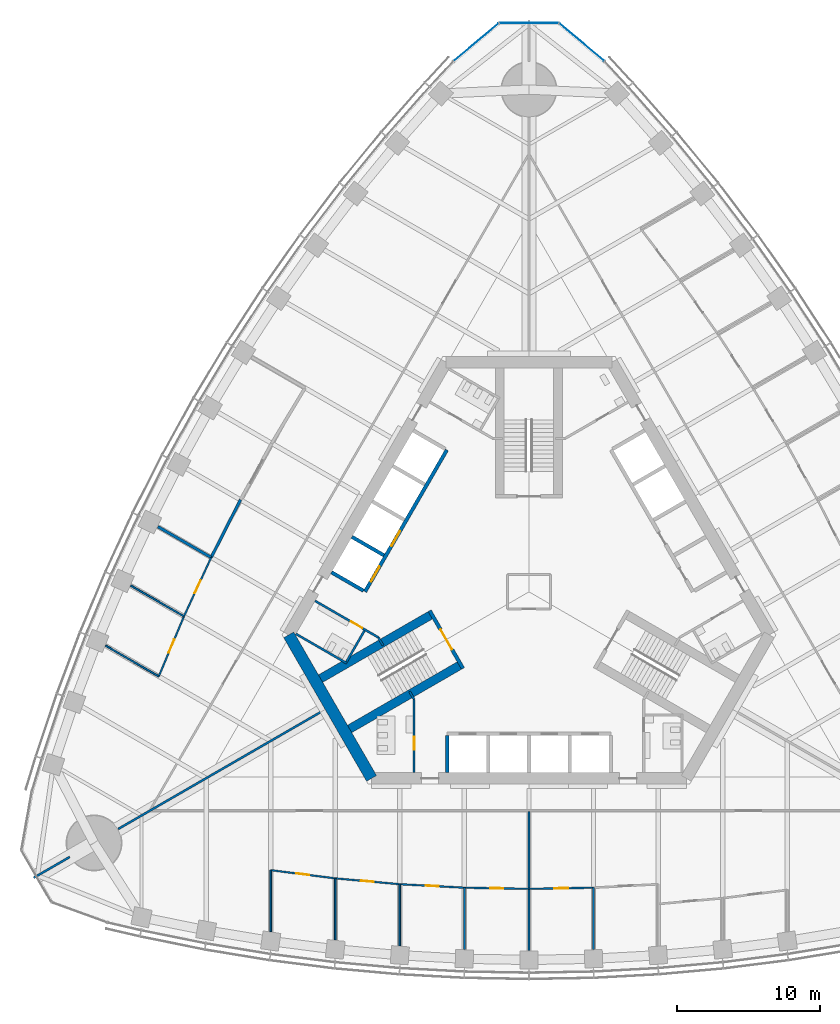
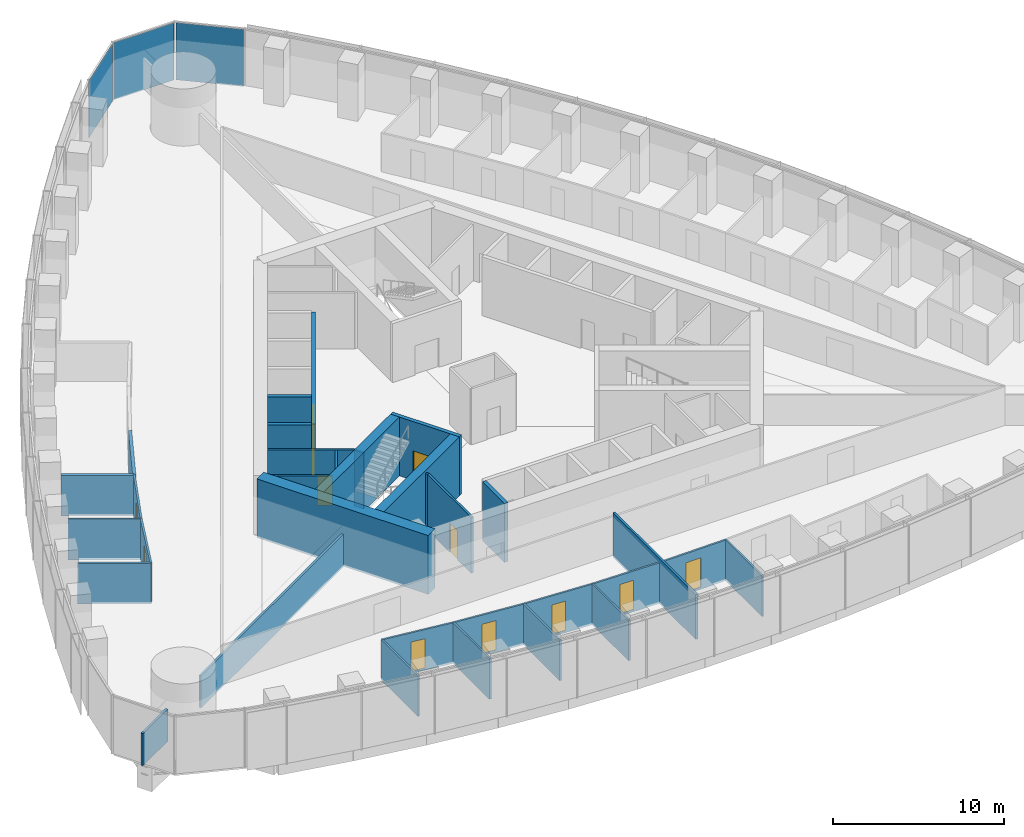
# One storey, part 11 of 21: 33 walls, 12 doors, 3 plates, 12 openings, 1 element without a shape of its own.
"""IFC4 building model written with IfcOpenShell, lengths in metres."""

from ifc_helpers import new_model, si_unit, direction, frame, frame_2d, origin, origin_2d, place, context, subcontext, project, spatial, rectangle, extrude, material, layer, layer_set, type_object, element, fill, aggregate, save


model = new_model("IFC4")

# Units and contexts
model_context = context("Model", 3, precision=1e-05, world=origin(), true_north=direction((0.0, 1.0)))
body_context = subcontext(model_context, "Body", "Model", "MODEL_VIEW")
ifc_project = project(units=[si_unit("LENGTHUNIT", "METRE"), si_unit("AREAUNIT", "SQUARE_METRE"), si_unit("VOLUMEUNIT", "CUBIC_METRE"), si_unit("PLANEANGLEUNIT", "RADIAN"), si_unit("MASSUNIT", "GRAM", prefix="KILO")], contexts=[model_context])

# Site, building, storey
site_placement = place(None, origin())
site = spatial("IfcSite", under=ifc_project, at=site_placement, CompositionType="ELEMENT")
building_placement = place(site_placement, origin())
building = spatial("IfcBuilding", under=site, at=building_placement, Name="Trefoil Bronze Tower", CompositionType="ELEMENT")
storey_placement = place(building_placement, frame((0.0, 0.0, 149.300048828125)))
storey = spatial("IfcBuildingStorey", under=building, at=storey_placement, Name="L34", CompositionType="ELEMENT", Elevation=149.300048828125)

# Curtain wall, plates
ifc_material_1 = material(Name="Tinted solar-control glass", Category="glass")
curtain_wall_type = type_object("IfcCurtainWallType", Name="Bronze rounded corner curtain wall", PredefinedType="USERDEFINED", material=ifc_material_1)
curtain_wall_placement = place(storey_placement, origin())
curtain_wall = element("IfcCurtainWall", 1, at=curtain_wall_placement, inside=storey, type_object=curtain_wall_type, Name="CW-B L34 K2", ObjectType="CURTAIN WALL", PredefinedType="USERDEFINED")
ifc_material_2 = material(Name="Tinted solar-control glass", Category="glass")
ifc_layer_1 = layer(ifc_material_2, 0.030029296875)
ifc_layer_set_1 = layer_set([ifc_layer_1], Name="Bronze rounded corner curtain wall glass panel")
plate_type = type_object("IfcPlateType", Name="Bronze rounded corner curtain wall glass panel", PredefinedType="CURTAIN_PANEL", material=ifc_layer_set_1)
plate_1_placement = place(storey_placement, frame((3.6884765625, 38.294921875, 0.0), z_axis=(0.0, 0.0, 1.0), x_axis=(-0.766044443119, 0.642787609687, 0.0)))
plate_1 = element("IfcPlate", 2, at=plate_1_placement, type_object=plate_type, Name="CW-B L34 K2 panel 1", PredefinedType="CURTAIN_PANEL", context=body_context, shape_type="SweptSolid", body=[
    extrude(rectangle(XDim=4.044189453125, YDim=0.030029296875, at=origin_2d()), origin(), (0.0, 0.0, 1.0), 4.080078125),
])
plate_2_placement = place(storey_placement, frame((0.0, 39.637451171875, 0.0), z_axis=(0.0, 0.0, 1.0), x_axis=(-1.0, 0.0, 0.0)))
plate_2 = element("IfcPlate", 3, at=plate_2_placement, type_object=plate_type, Name="CW-B L34 K2 panel 2", PredefinedType="CURTAIN_PANEL", context=body_context, shape_type="SweptSolid", body=[
    extrude(rectangle(XDim=4.044189453125, YDim=0.030029296875, at=origin_2d()), origin(), (0.0, 0.0, 1.0), 4.080078125),
])
plate_3_placement = place(storey_placement, frame((-3.6884765625, 38.294921875, 0.0), z_axis=(0.0, 0.0, 1.0), x_axis=(-0.766044443119, -0.642787609687, 0.0)))
plate_3 = element("IfcPlate", 4, at=plate_3_placement, type_object=plate_type, Name="CW-B L34 K2 panel 3", PredefinedType="CURTAIN_PANEL", context=body_context, shape_type="SweptSolid", body=[
    extrude(rectangle(XDim=4.044189453125, YDim=0.030029296875, at=origin_2d()), origin(), (0.0, 0.0, 1.0), 4.080078125),
])
aggregate(curtain_wall, [plate_1, plate_2, plate_3])

# Walls
ifc_material_3 = material(Name="Gypsum board on steel studs", Category="steel")
ifc_layer_2 = layer(ifc_material_3, 0.199951171875)
ifc_layer_set_2 = layer_set([ifc_layer_2], Name="Acoustic partition 200")
wall_type_1 = type_object("IfcWallType", Name="Acoustic partition 200", PredefinedType="PARTITIONING", material=ifc_layer_set_2)
wall_1_placement = place(storey_placement, frame((-20.106201171875, 6.412109375, 0.0), z_axis=(0.0, 0.0, 1.0), x_axis=(-0.452471679136, -0.891778772779, 0.0)))
element("IfcWall", 5, at=wall_1_placement, inside=storey, type_object=wall_type_1, Name="Partition F3 L34", PredefinedType="PARTITIONING", context=body_context, shape_type="SweptSolid", body=[
    extrude(rectangle(XDim=4.506591796875, YDim=0.199951171875, at=frame_2d((2.25341796875, 0.0))), origin(), (0.0, 0.0, 1.0), 2.89990234375),
])
wall_2_placement = place(storey_placement, frame((-22.145263671875, 2.393310546875, 0.0), z_axis=(0.0, 0.0, 1.0), x_axis=(-0.866035893414, 0.499981830989, 0.0)))
element("IfcWall", 6, at=wall_2_placement, inside=storey, type_object=wall_type_1, Name="Partition F3 L34", PredefinedType="PARTITIONING", context=body_context, shape_type="SweptSolid", body=[
    extrude(rectangle(XDim=4.291259765625, YDim=0.199951171875, at=frame_2d((2.1455078125, 0.0))), origin(), (0.0, 0.0, 1.0), 2.89990234375),
])
ifc_material_4 = material(Name="Concrete B80", Category="concrete")
ifc_layer_3 = layer(ifc_material_4, 0.800048828125)
ifc_layer_set_3 = layer_set([ifc_layer_3], Name="Core wall 800")
wall_type_2 = type_object("IfcWallType", Name="Core wall 800", PredefinedType="SHEAR", material=ifc_layer_set_3)
wall_3_placement = place(storey_placement, frame((-16.7431640625, -3.0, 0.0), z_axis=(0.0, 0.0, 1.0), x_axis=(0.499995765644, -0.866027848477, 0.0)))
element("IfcWall", 7, at=wall_3_placement, inside=storey, type_object=wall_type_2, Name="Core short wall 3 L34", PredefinedType="SHEAR", context=body_context, shape_type="SweptSolid", body=[
    extrude(rectangle(XDim=11.546875, YDim=0.800048828125, at=frame_2d((5.7734375, 0.0))), origin(), (0.0, 0.0, 1.0), 4.199951171875),
])

# Wall, opening, door
ifc_material_5 = material(Name="Glazed partition", Category="glass")
ifc_layer_4 = layer(ifc_material_5, 0.1201171875)
ifc_layer_set_4 = layer_set([ifc_layer_4], Name="Glazed partition 120")
wall_type_3 = type_object("IfcWallType", Name="Glazed partition 120", PredefinedType="PARTITIONING", material=ifc_layer_set_4)
wall_4_placement = place(storey_placement, frame((0.0, -20.69970703125, 0.0), z_axis=(0.0, 0.0, 1.0), x_axis=(0.999837820638, 0.018009231578, 0.0)))
wall_4 = element("IfcWall", 8, at=wall_4_placement, inside=storey, type_object=wall_type_3, Name="Partition F1 L34", PredefinedType="PARTITIONING", context=body_context, shape_type="SweptSolid", body=[
    extrude(rectangle(XDim=4.500732421875, YDim=0.1201171875, at=frame_2d((2.25048828125, 0.0))), origin(), (0.0, 0.0, 1.0), 2.89990234375),
])
opening_1_placement = place(wall_4_placement, frame((1.75, 0.0, 0.14990234375)))
opening_1 = element("IfcOpeningElement", 9, at=opening_1_placement, cuts=wall_4, Name="Opening D9", PredefinedType="OPENING", context=body_context, shape_type="SweptSolid", body=[
    extrude(rectangle(XDim=1.0, YDim=2.10009765625, at=frame_2d((0.5, 1.050048828125))), frame((0.0, 0.070068359375, 0.0), z_axis=(0.0, -1.0, 0.0), x_axis=(1.0, 0.0, 0.0)), (0.0, 0.0, 1.0), 0.14013671875),
])
ifc_material_6 = material(Name="Glazed timber door", Category="wood")
door_type_1 = type_object("IfcDoorType", Name="Meeting room door 1000", OperationType="SINGLE_SWING_LEFT", PredefinedType="DOOR", material=ifc_material_6)
door_1_placement = place(opening_1_placement, frame((1.0, 0.0, 0.0), z_axis=(0.0, 0.0, 1.0), x_axis=(-1.0, 0.0, 0.0)))
door_1 = element("IfcDoor", 10, at=door_1_placement, inside=storey, type_object=door_type_1, Name="Meeting room door F1 L34", OperationType="SINGLE_SWING_RIGHT", OverallHeight=2.10009765625, OverallWidth=1.0, PredefinedType="DOOR", context=body_context, shape_type="SweptSolid", body=[
    extrude(rectangle(XDim=1.0, YDim=2.10009765625, at=frame_2d((0.5, 1.050048828125))), frame((0.0, 0.02490234375, 0.0), z_axis=(0.0, -1.0, 0.0), x_axis=(1.0, 0.0, 0.0)), (0.0, 0.0, 1.0), 0.050048828125),
])
fill(opening_1, door_1)

wall_5_placement = place(storey_placement, frame((-13.5, -19.9677734375, 0.0), z_axis=(0.0, 0.0, 1.0), x_axis=(0.995930325215, -0.090126507295, 0.0)))
wall_5 = element("IfcWall", 11, at=wall_5_placement, inside=storey, type_object=wall_type_3, Name="Partition F1 L34", PredefinedType="PARTITIONING", context=body_context, shape_type="SweptSolid", body=[
    extrude(rectangle(XDim=4.518310546875, YDim=0.1201171875, at=frame_2d((2.25927734375, 0.0))), origin(), (0.0, 0.0, 1.0), 2.89990234375),
])
opening_2_placement = place(wall_5_placement, frame((1.800048828125, 0.0, 0.14990234375)))
opening_2 = element("IfcOpeningElement", 12, at=opening_2_placement, cuts=wall_5, Name="Opening D8", PredefinedType="OPENING", context=body_context, shape_type="SweptSolid", body=[
    extrude(rectangle(XDim=0.89990234375, YDim=2.10009765625, at=frame_2d((0.449951171875, 1.050048828125))), frame((0.0, 0.070068359375, 0.0), z_axis=(0.0, -1.0, 0.0), x_axis=(1.0, 0.0, 0.0)), (0.0, 0.0, 1.0), 0.14013671875),
])
ifc_material_7 = material(Name="Timber door", Category="wood")
door_type_2 = type_object("IfcDoorType", Name="Office door 900", OperationType="SINGLE_SWING_LEFT", PredefinedType="DOOR", material=ifc_material_7)
door_2_placement = place(opening_2_placement, frame((0.89990234375, 0.0, 0.0), z_axis=(0.0, 0.0, 1.0), x_axis=(-1.0, 0.0, 0.0)))
door_2 = element("IfcDoor", 13, at=door_2_placement, inside=storey, type_object=door_type_2, Name="Office door F1 L34", OperationType="SINGLE_SWING_RIGHT", OverallHeight=2.10009765625, OverallWidth=0.89990234375, PredefinedType="DOOR", context=body_context, shape_type="SweptSolid", body=[
    extrude(rectangle(XDim=0.89990234375, YDim=2.10009765625, at=frame_2d((0.449951171875, 1.050048828125))), frame((0.0, 0.02490234375, 0.0), z_axis=(0.0, -1.0, 0.0), x_axis=(1.0, 0.0, 0.0)), (0.0, 0.0, 1.0), 0.050048828125),
])
fill(opening_2, door_2)

wall_6_placement = place(storey_placement, frame((-18.0, -19.3955078125, 0.0), z_axis=(0.0, 0.0, 1.0), x_axis=(0.992010652594, -0.12615413247, 0.0)))
wall_6 = element("IfcWall", 14, at=wall_6_placement, inside=storey, type_object=wall_type_3, Name="Partition F1 L34", PredefinedType="PARTITIONING", context=body_context, shape_type="SweptSolid", body=[
    extrude(rectangle(XDim=4.5361328125, YDim=0.1201171875, at=frame_2d((2.26806640625, 0.0))), origin(), (0.0, 0.0, 1.0), 2.89990234375),
])
opening_3_placement = place(wall_6_placement, frame((1.800048828125, 0.0, 0.14990234375)))
opening_3 = element("IfcOpeningElement", 15, at=opening_3_placement, cuts=wall_6, Name="Opening D8", PredefinedType="OPENING", context=body_context, shape_type="SweptSolid", body=[
    extrude(rectangle(XDim=0.89990234375, YDim=2.10009765625, at=frame_2d((0.449951171875, 1.050048828125))), frame((0.0, 0.070068359375, 0.0), z_axis=(0.0, -1.0, 0.0), x_axis=(1.0, 0.0, 0.0)), (0.0, 0.0, 1.0), 0.14013671875),
])
door_3_placement = place(opening_3_placement, frame((0.89990234375, 0.0, 0.0), z_axis=(0.0, 0.0, 1.0), x_axis=(-1.0, 0.0, 0.0)))
door_3 = element("IfcDoor", 16, at=door_3_placement, inside=storey, type_object=door_type_2, Name="Office door F1 L34", OperationType="SINGLE_SWING_RIGHT", OverallHeight=2.10009765625, OverallWidth=0.89990234375, PredefinedType="DOOR", context=body_context, shape_type="SweptSolid", body=[
    extrude(rectangle(XDim=0.89990234375, YDim=2.10009765625, at=frame_2d((0.449951171875, 1.050048828125))), frame((0.0, 0.02490234375, 0.0), z_axis=(0.0, -1.0, 0.0), x_axis=(1.0, 0.0, 0.0)), (0.0, 0.0, 1.0), 0.050048828125),
])
fill(opening_3, door_3)

wall_7_placement = place(storey_placement, frame((-4.5, -20.61865234375, 0.0), z_axis=(0.0, 0.0, 1.0), x_axis=(0.999837820638, -0.018009231578, 0.0)))
wall_7 = element("IfcWall", 17, at=wall_7_placement, inside=storey, type_object=wall_type_3, Name="Partition F1 L34", PredefinedType="PARTITIONING", context=body_context, shape_type="SweptSolid", body=[
    extrude(rectangle(XDim=4.500732421875, YDim=0.1201171875, at=frame_2d((2.25048828125, 0.0))), origin(), (0.0, 0.0, 1.0), 2.89990234375),
])
opening_4_placement = place(wall_7_placement, frame((1.800048828125, 0.0, 0.14990234375)))
opening_4 = element("IfcOpeningElement", 18, at=opening_4_placement, cuts=wall_7, Name="Opening D8", PredefinedType="OPENING", context=body_context, shape_type="SweptSolid", body=[
    extrude(rectangle(XDim=0.89990234375, YDim=2.10009765625, at=frame_2d((0.449951171875, 1.050048828125))), frame((0.0, 0.070068359375, 0.0), z_axis=(0.0, -1.0, 0.0), x_axis=(1.0, 0.0, 0.0)), (0.0, 0.0, 1.0), 0.14013671875),
])
door_4_placement = place(opening_4_placement, frame((0.89990234375, 0.0, 0.0), z_axis=(0.0, 0.0, 1.0), x_axis=(-1.0, 0.0, 0.0)))
door_4 = element("IfcDoor", 19, at=door_4_placement, inside=storey, type_object=door_type_2, Name="Office door F1 L34", OperationType="SINGLE_SWING_RIGHT", OverallHeight=2.10009765625, OverallWidth=0.89990234375, PredefinedType="DOOR", context=body_context, shape_type="SweptSolid", body=[
    extrude(rectangle(XDim=0.89990234375, YDim=2.10009765625, at=frame_2d((0.449951171875, 1.050048828125))), frame((0.0, 0.02490234375, 0.0), z_axis=(0.0, -1.0, 0.0), x_axis=(1.0, 0.0, 0.0)), (0.0, 0.0, 1.0), 0.050048828125),
])
fill(opening_4, door_4)

wall_8_placement = place(storey_placement, frame((-9.0, -20.375, 0.0), z_axis=(0.0, 0.0, 1.0), x_axis=(0.998537376538, -0.054065771581, 0.0)))
wall_8 = element("IfcWall", 20, at=wall_8_placement, inside=storey, type_object=wall_type_3, Name="Partition F1 L34", PredefinedType="PARTITIONING", context=body_context, shape_type="SweptSolid", body=[
    extrude(rectangle(XDim=4.506591796875, YDim=0.1201171875, at=frame_2d((2.25341796875, 0.0))), origin(), (0.0, 0.0, 1.0), 2.89990234375),
])
opening_5_placement = place(wall_8_placement, frame((1.800048828125, 0.0, 0.14990234375)))
opening_5 = element("IfcOpeningElement", 21, at=opening_5_placement, cuts=wall_8, Name="Opening D8", PredefinedType="OPENING", context=body_context, shape_type="SweptSolid", body=[
    extrude(rectangle(XDim=0.89990234375, YDim=2.10009765625, at=frame_2d((0.449951171875, 1.050048828125))), frame((0.0, 0.070068359375, 0.0), z_axis=(0.0, -1.0, 0.0), x_axis=(1.0, 0.0, 0.0)), (0.0, 0.0, 1.0), 0.14013671875),
])
door_5_placement = place(opening_5_placement, frame((0.89990234375, 0.0, 0.0), z_axis=(0.0, 0.0, 1.0), x_axis=(-1.0, 0.0, 0.0)))
door_5 = element("IfcDoor", 22, at=door_5_placement, inside=storey, type_object=door_type_2, Name="Office door F1 L34", OperationType="SINGLE_SWING_RIGHT", OverallHeight=2.10009765625, OverallWidth=0.89990234375, PredefinedType="DOOR", context=body_context, shape_type="SweptSolid", body=[
    extrude(rectangle(XDim=0.89990234375, YDim=2.10009765625, at=frame_2d((0.449951171875, 1.050048828125))), frame((0.0, 0.02490234375, 0.0), z_axis=(0.0, -1.0, 0.0), x_axis=(1.0, 0.0, 0.0)), (0.0, 0.0, 1.0), 0.050048828125),
])
fill(opening_5, door_5)

# Walls
wall_9_placement = place(storey_placement, frame((4.5, -20.61865234375, 0.0), z_axis=(0.0, 0.0, 1.0), x_axis=(0.0, -1.0, 0.0)))
element("IfcWall", 23, at=wall_9_placement, inside=storey, type_object=wall_type_3, Name="Partition F1 L34", PredefinedType="PARTITIONING", context=body_context, shape_type="SweptSolid", body=[
    extrude(rectangle(XDim=4.2939453125, YDim=0.1201171875, at=frame_2d((2.14697265625, 0.0))), origin(), (0.0, 0.0, 1.0), 2.89990234375),
])
wall_10_placement = place(storey_placement, frame((-13.5, -19.9677734375, 0.0), z_axis=(0.0, 0.0, 1.0), x_axis=(0.0, -1.0, 0.0)))
element("IfcWall", 24, at=wall_10_placement, inside=storey, type_object=wall_type_3, Name="Partition F1 L34", PredefinedType="PARTITIONING", context=body_context, shape_type="SweptSolid", body=[
    extrude(rectangle(XDim=4.28662109375, YDim=0.1201171875, at=frame_2d((2.143310546875, 0.0))), origin(), (0.0, 0.0, 1.0), 2.89990234375),
])
wall_11_placement = place(storey_placement, frame((-18.0, -19.3955078125, 0.0), z_axis=(0.0, 0.0, 1.0), x_axis=(0.0, -1.0, 0.0)))
element("IfcWall", 25, at=wall_11_placement, inside=storey, type_object=wall_type_3, Name="Partition F1 L34", PredefinedType="PARTITIONING", context=body_context, shape_type="SweptSolid", body=[
    extrude(rectangle(XDim=4.27978515625, YDim=0.1201171875, at=frame_2d((2.139892578125, 0.0))), origin(), (0.0, 0.0, 1.0), 2.89990234375),
])
wall_12_placement = place(storey_placement, frame((-4.5, -20.61865234375, 0.0), z_axis=(0.0, 0.0, 1.0), x_axis=(0.0, -1.0, 0.0)))
element("IfcWall", 26, at=wall_12_placement, inside=storey, type_object=wall_type_3, Name="Partition F1 L34", PredefinedType="PARTITIONING", context=body_context, shape_type="SweptSolid", body=[
    extrude(rectangle(XDim=4.2939453125, YDim=0.1201171875, at=frame_2d((2.14697265625, 0.0))), origin(), (0.0, 0.0, 1.0), 2.89990234375),
])
wall_13_placement = place(storey_placement, frame((-9.0, -20.375, 0.0), z_axis=(0.0, 0.0, 1.0), x_axis=(0.0, -1.0, 0.0)))
element("IfcWall", 27, at=wall_13_placement, inside=storey, type_object=wall_type_3, Name="Partition F1 L34", PredefinedType="PARTITIONING", context=body_context, shape_type="SweptSolid", body=[
    extrude(rectangle(XDim=4.291259765625, YDim=0.1201171875, at=frame_2d((2.1455078125, 0.0))), origin(), (0.0, 0.0, 1.0), 2.89990234375),
])

# Wall, opening, door
wall_14_placement = place(storey_placement, frame((-24.042724609375, -1.70751953125, 0.0), z_axis=(0.0, 0.0, 1.0), x_axis=(-0.386762112496, -0.922179520667, 0.0)))
wall_14 = element("IfcWall", 28, at=wall_14_placement, inside=storey, type_object=wall_type_3, Name="Partition F3 L34", PredefinedType="PARTITIONING", context=body_context, shape_type="SweptSolid", body=[
    extrude(rectangle(XDim=4.5361328125, YDim=0.1201171875, at=frame_2d((2.26806640625, 0.0))), origin(), (0.0, 0.0, 1.0), 2.89990234375),
])
opening_6_placement = place(wall_14_placement, frame((1.75, 0.0, 0.14990234375)))
opening_6 = element("IfcOpeningElement", 29, at=opening_6_placement, cuts=wall_14, Name="Opening D9", PredefinedType="OPENING", context=body_context, shape_type="SweptSolid", body=[
    extrude(rectangle(XDim=1.0, YDim=2.10009765625, at=frame_2d((0.5, 1.050048828125))), frame((0.0, 0.070068359375, 0.0), z_axis=(0.0, -1.0, 0.0), x_axis=(1.0, 0.0, 0.0)), (0.0, 0.0, 1.0), 0.14013671875),
])
door_6_placement = place(opening_6_placement, frame((1.0, 0.0, 0.0), z_axis=(0.0, 0.0, 1.0), x_axis=(-1.0, 0.0, 0.0)))
door_6 = element("IfcDoor", 30, at=door_6_placement, inside=storey, type_object=door_type_1, Name="Meeting room door F3 L34", OperationType="SINGLE_SWING_RIGHT", OverallHeight=2.10009765625, OverallWidth=1.0, PredefinedType="DOOR", context=body_context, shape_type="SweptSolid", body=[
    extrude(rectangle(XDim=1.0, YDim=2.10009765625, at=frame_2d((0.5, 1.050048828125))), frame((0.0, 0.02490234375, 0.0), z_axis=(0.0, -1.0, 0.0), x_axis=(1.0, 0.0, 0.0)), (0.0, 0.0, 1.0), 0.050048828125),
])
fill(opening_6, door_6)

wall_15_placement = place(storey_placement, frame((-22.145263671875, 2.393310546875, 0.0), z_axis=(0.0, 0.0, 1.0), x_axis=(-0.41992827805, -0.90755729367, 0.0)))
wall_15 = element("IfcWall", 31, at=wall_15_placement, inside=storey, type_object=wall_type_3, Name="Partition F3 L34", PredefinedType="PARTITIONING", context=body_context, shape_type="SweptSolid", body=[
    extrude(rectangle(XDim=4.5185546875, YDim=0.1201171875, at=frame_2d((2.25927734375, 0.0))), origin(), (0.0, 0.0, 1.0), 2.89990234375),
])
opening_7_placement = place(wall_15_placement, frame((1.75, 0.0, 0.14990234375)))
opening_7 = element("IfcOpeningElement", 32, at=opening_7_placement, cuts=wall_15, Name="Opening D9", PredefinedType="OPENING", context=body_context, shape_type="SweptSolid", body=[
    extrude(rectangle(XDim=1.0, YDim=2.10009765625, at=frame_2d((0.5, 1.050048828125))), frame((0.0, 0.070068359375, 0.0), z_axis=(0.0, -1.0, 0.0), x_axis=(1.0, 0.0, 0.0)), (0.0, 0.0, 1.0), 0.14013671875),
])
door_7_placement = place(opening_7_placement, frame((1.0, 0.0, 0.0), z_axis=(0.0, 0.0, 1.0), x_axis=(-1.0, 0.0, 0.0)))
door_7 = element("IfcDoor", 33, at=door_7_placement, inside=storey, type_object=door_type_1, Name="Meeting room door F3 L34", OperationType="SINGLE_SWING_RIGHT", OverallHeight=2.10009765625, OverallWidth=1.0, PredefinedType="DOOR", context=body_context, shape_type="SweptSolid", body=[
    extrude(rectangle(XDim=1.0, YDim=2.10009765625, at=frame_2d((0.5, 1.050048828125))), frame((0.0, 0.02490234375, 0.0), z_axis=(0.0, -1.0, 0.0), x_axis=(1.0, 0.0, 0.0)), (0.0, 0.0, 1.0), 0.050048828125),
])
fill(opening_7, door_7)

# Walls
wall_16_placement = place(storey_placement, frame((-24.042724609375, -1.70751953125, 0.0), z_axis=(0.0, 0.0, 1.0), x_axis=(-0.866015805976, 0.500016623523, 0.0)))
element("IfcWall", 34, at=wall_16_placement, inside=storey, type_object=wall_type_3, Name="Partition F3 L34", PredefinedType="PARTITIONING", context=body_context, shape_type="SweptSolid", body=[
    extrude(rectangle(XDim=4.286376953125, YDim=0.1201171875, at=frame_2d((2.14306640625, 0.0))), origin(), (0.0, 0.0, 1.0), 2.89990234375),
])
wall_17_placement = place(storey_placement, frame((-25.797119140625, -5.890625, 0.0), z_axis=(0.0, 0.0, 1.0), x_axis=(-0.866019337872, 0.500010506321, 0.0)))
element("IfcWall", 35, at=wall_17_placement, inside=storey, type_object=wall_type_3, Name="Partition F3 L34", PredefinedType="PARTITIONING", context=body_context, shape_type="SweptSolid", body=[
    extrude(rectangle(XDim=4.27978515625, YDim=0.1201171875, at=frame_2d((2.139892578125, 0.0))), origin(), (0.0, 0.0, 1.0), 2.89990234375),
])

# Wall, opening, door
ifc_material_8 = material(Name="Gypsum board on steel studs", Category="steel")
ifc_layer_5 = layer(ifc_material_8, 0.14990234375)
ifc_layer_set_5 = layer_set([ifc_layer_5], Name="Partition 150")
wall_type_4 = type_object("IfcWallType", Name="Partition 150", PredefinedType="PARTITIONING", material=ifc_layer_set_5)
wall_18_placement = place(storey_placement, frame((-8.0, -7.5, 0.0), z_axis=(0.0, 0.0, 1.0), x_axis=(0.0, -1.0, 0.0)))
wall_18 = element("IfcWall", 36, at=wall_18_placement, inside=storey, type_object=wall_type_4, Name="Passage wall F1- L34", PredefinedType="PARTITIONING", context=body_context, shape_type="SweptSolid", body=[
    extrude(rectangle(XDim=5.10009765625, YDim=0.14990234375, at=frame_2d((2.550048828125, 0.0))), origin(), (0.0, 0.0, 1.0), 4.0),
])
opening_8_placement = place(wall_18_placement, frame((2.60009765625, 0.0, 0.0)))
opening_8 = element("IfcOpeningElement", 37, at=opening_8_placement, cuts=wall_18, Name="Opening D3", PredefinedType="OPENING", context=body_context, shape_type="SweptSolid", body=[
    extrude(rectangle(XDim=0.89990234375, YDim=2.10009765625, at=frame_2d((0.449951171875, 1.050048828125))), frame((0.0, 0.0849609375, 0.0), z_axis=(0.0, -1.0, 0.0), x_axis=(1.0, 0.0, 0.0)), (0.0, 0.0, 1.0), 0.169921875),
])
ifc_material_9 = material(Name="Timber door", Category="wood")
door_type_3 = type_object("IfcDoorType", Name="WC door 900", OperationType="SINGLE_SWING_LEFT", PredefinedType="DOOR", material=ifc_material_9)
door_8_placement = place(opening_8_placement, frame((0.89990234375, 0.0, 0.0), z_axis=(0.0, 0.0, 1.0), x_axis=(-1.0, 0.0, 0.0)))
door_8 = element("IfcDoor", 38, at=door_8_placement, inside=storey, type_object=door_type_3, Name="WC (women) door L34", OperationType="SINGLE_SWING_LEFT", OverallHeight=2.10009765625, OverallWidth=0.89990234375, PredefinedType="DOOR", context=body_context, shape_type="SweptSolid", body=[
    extrude(rectangle(XDim=0.89990234375, YDim=2.10009765625, at=frame_2d((0.449951171875, 1.050048828125))), frame((0.0, 0.02490234375, 0.0), z_axis=(0.0, -1.0, 0.0), x_axis=(1.0, 0.0, 0.0)), (0.0, 0.0, 1.0), 0.050048828125),
])
fill(opening_8, door_8)

wall_19_placement = place(storey_placement, frame((-10.4951171875, -3.17822265625, 0.0), z_axis=(0.0, 0.0, 1.0), x_axis=(-0.86602216432, 0.500005610874, 0.0)))
wall_19 = element("IfcWall", 39, at=wall_19_placement, inside=storey, type_object=wall_type_4, Name="Passage wall F3+ L34", PredefinedType="PARTITIONING", context=body_context, shape_type="SweptSolid", body=[
    extrude(rectangle(XDim=5.10009765625, YDim=0.14990234375, at=frame_2d((2.550048828125, 0.0))), origin(), (0.0, 0.0, 1.0), 4.0),
])
opening_9_placement = place(wall_19_placement, frame((1.300048828125, 0.0, 0.0)))
opening_9 = element("IfcOpeningElement", 40, at=opening_9_placement, cuts=wall_19, Name="Opening D3", PredefinedType="OPENING", context=body_context, shape_type="SweptSolid", body=[
    extrude(rectangle(XDim=0.89990234375, YDim=2.10009765625, at=frame_2d((0.449951171875, 1.050048828125))), frame((0.0, 0.0849609375, 0.0), z_axis=(0.0, -1.0, 0.0), x_axis=(1.0, 0.0, 0.0)), (0.0, 0.0, 1.0), 0.169921875),
])
door_9_placement = place(opening_9_placement, origin())
door_9 = element("IfcDoor", 41, at=door_9_placement, inside=storey, type_object=door_type_3, Name="WC (men) door L34", OperationType="SINGLE_SWING_LEFT", OverallHeight=2.10009765625, OverallWidth=0.89990234375, PredefinedType="DOOR", context=body_context, shape_type="SweptSolid", body=[
    extrude(rectangle(XDim=0.89990234375, YDim=2.10009765625, at=frame_2d((0.449951171875, 1.050048828125))), frame((0.0, 0.02490234375, 0.0), z_axis=(0.0, -1.0, 0.0), x_axis=(1.0, 0.0, 0.0)), (0.0, 0.0, 1.0), 0.050048828125),
])
fill(opening_9, door_9)

# Walls
for number, where, z_axis, x_axis, name in (
    (42, (-10.4951171875, -3.17822265625, 0.0), (0.0, 0.0, 1.0), (0.499842556608, -0.866116284689, 0.0), "WC wall ST3-1 L34"),
    (43, (-8.0, -7.5, 0.0), (0.0, 0.0, 1.0), (-0.499842556608, 0.866116284689, 0.0), "WC wall ST3+1 L34"),
):
    element("IfcWall", number, at=place(storey_placement, frame(where, z_axis=z_axis, x_axis=x_axis)), inside=storey, type_object=wall_type_4, Name=name, PredefinedType="PARTITIONING", context=body_context, shape_type="SweptSolid", body=[
        extrude(rectangle(XDim=0.645263671875, YDim=0.14990234375, at=frame_2d((0.32275390625, 0.0))), origin(), (0.0, 0.0, 1.0), 4.0),
    ])
wall_20_placement = place(storey_placement, frame((-12.691162109375, -4.98193359375, 0.0), z_axis=(0.0, 0.0, 1.0), x_axis=(-0.8660249478, 0.500000789788, 0.0)))
element("IfcWall", 44, at=wall_20_placement, inside=storey, type_object=wall_type_4, Name="WC partition WC (men) L34", PredefinedType="PARTITIONING", context=body_context, shape_type="SweptSolid", body=[
    extrude(rectangle(XDim=4.10009765625, YDim=0.14990234375, at=frame_2d((2.050048828125, 0.0))), origin(), (0.0, 0.0, 1.0), 4.0),
])
wall_21_placement = place(storey_placement, frame((-11.463623046875, -2.70556640625, 0.0), z_axis=(0.0, 0.0, 1.0), x_axis=(-0.50001992892, -0.866013897511, 0.0)))
element("IfcWall", 45, at=wall_21_placement, inside=storey, type_object=wall_type_4, Name="WC partition WC (men) L34", PredefinedType="PARTITIONING", context=body_context, shape_type="SweptSolid", body=[
    extrude(rectangle(XDim=2.51025390625, YDim=0.14990234375, at=frame_2d((1.255126953125, 0.0))), origin(), (0.0, 0.0, 1.0), 4.0),
])
ifc_material_10 = material(Name="Gypsum board on steel studs", Category="steel")
ifc_layer_6 = layer(ifc_material_10, 0.14990234375)
ifc_layer_set_6 = layer_set([ifc_layer_6], Name="Party wall 150")
wall_type_5 = type_object("IfcWallType", Name="Party wall 150", PredefinedType="PARTITIONING", material=ifc_layer_set_6)
wall_22_placement = place(storey_placement, frame((-14.202880859375, -8.199951171875, 0.0), z_axis=(0.0, 0.0, 1.0), x_axis=(-0.866024668836, -0.500001272966, 0.0)))
element("IfcWall", 46, at=wall_22_placement, inside=storey, type_object=wall_type_5, Name="Party wall K3 L34", PredefinedType="PARTITIONING", context=body_context, shape_type="SweptSolid", body=[
    extrude(rectangle(XDim=16.64990234375, YDim=0.14990234375, at=frame_2d((8.324951171875, 0.0))), origin(), (0.0, 0.0, 1.0), 2.300048828125),
])
wall_23_placement = place(storey_placement, frame((-31.999755859375, -18.47509765625, 0.0), z_axis=(0.0, 0.0, 1.0), x_axis=(-0.866042548026, -0.499970304126, 0.0)))
element("IfcWall", 47, at=wall_23_placement, inside=storey, type_object=wall_type_5, Name="Party wall K3 L34", PredefinedType="PARTITIONING", context=body_context, shape_type="SweptSolid", body=[
    extrude(rectangle(XDim=2.899169921875, YDim=0.14990234375, at=frame_2d((1.44970703125, 0.0))), origin(), (0.0, 0.0, 1.0), 2.300048828125),
])
wall_24_placement = place(storey_placement, frame((0.0, -15.320068359375, 0.0), z_axis=(0.0, 0.0, 1.0), x_axis=(0.0, -1.0, 0.0)))
element("IfcWall", 48, at=wall_24_placement, inside=storey, type_object=wall_type_5, Name="Demising wall F1 L34", PredefinedType="PARTITIONING", context=body_context, shape_type="SweptSolid", body=[
    extrude(rectangle(XDim=9.674560546875, YDim=0.14990234375, at=frame_2d((4.83740234375, 0.0))), origin(), (0.0, 0.0, 1.0), 3.199951171875),
])
ifc_material_11 = material(Name="Concrete B80", Category="concrete")
ifc_layer_7 = layer(ifc_material_11, 0.25)
ifc_layer_set_7 = layer_set([ifc_layer_7], Name="Shaft wall 250")
wall_type_6 = type_object("IfcWallType", Name="Shaft wall 250", PredefinedType="SHEAR", material=ifc_layer_set_7)
wall_25_placement = place(storey_placement, frame((-5.699951171875, -10.02490234375, 0.0), z_axis=(0.0, 0.0, 1.0), x_axis=(0.0, -1.0, 0.0)))
element("IfcWall", 49, at=wall_25_placement, inside=storey, type_object=wall_type_6, Name="Lift shaft side wall A0 L34", PredefinedType="SHEAR", context=body_context, shape_type="SweptSolid", body=[
    extrude(rectangle(XDim=2.5751953125, YDim=0.25, at=frame_2d((1.28759765625, 0.0))), origin(), (0.0, 0.0, 1.0), 4.199951171875),
])

# Wall, openings, doors
wall_26_placement = place(storey_placement, frame((-5.7236328125, 9.88623046875, 0.0), z_axis=(0.0, 0.0, 1.0), x_axis=(-0.500001763848, -0.866024385424, 0.0)))
wall_26 = element("IfcWall", 50, at=wall_26_placement, inside=storey, type_object=wall_type_6, Name="Lift shaft front wall C L34", PredefinedType="SHEAR", context=body_context, shape_type="SweptSolid", body=[
    extrude(rectangle(XDim=11.39990234375, YDim=0.25, at=frame_2d((5.699951171875, 0.0))), origin(), (0.0, 0.0, 1.0), 4.199951171875),
])
opening_10_placement = place(wall_26_placement, frame((6.52490234375, 0.0, 0.0)))
opening_10 = element("IfcOpeningElement", 51, at=opening_10_placement, cuts=wall_26, Name="Opening LD-FL1", PredefinedType="OPENING", context=body_context, shape_type="SweptSolid", body=[
    extrude(rectangle(XDim=1.199951171875, YDim=2.199951171875, at=frame_2d((0.60009765625, 1.10009765625))), frame((0.0, 0.135009765625, 0.0), z_axis=(0.0, -1.0, 0.0), x_axis=(1.0, 0.0, 0.0)), (0.0, 0.0, 1.0), 0.27001953125),
])
opening_11_placement = place(wall_26_placement, frame((9.375, 0.0, 0.0)))
opening_11 = element("IfcOpeningElement", 52, at=opening_11_placement, cuts=wall_26, Name="Opening LD-FL2", PredefinedType="OPENING", context=body_context, shape_type="SweptSolid", body=[
    extrude(rectangle(XDim=1.199951171875, YDim=2.199951171875, at=frame_2d((0.60009765625, 1.10009765625))), frame((0.0, 0.135009765625, 0.0), z_axis=(0.0, -1.0, 0.0), x_axis=(1.0, 0.0, 0.0)), (0.0, 0.0, 1.0), 0.27001953125),
])
ifc_material_12 = material(Name="Steel door", Category="steel")
door_type_4 = type_object("IfcDoorType", Name="Lift landing door 1200", OperationType="DOUBLE_DOOR_SLIDING", PredefinedType="DOOR", material=ifc_material_12)
door_10_placement = place(opening_10_placement, origin())
door_10 = element("IfcDoor", 53, at=door_10_placement, inside=storey, type_object=door_type_4, Name="Lift FL1 landing door L34", OperationType="DOUBLE_DOOR_SLIDING", OverallHeight=2.199951171875, OverallWidth=1.199951171875, PredefinedType="DOOR", context=body_context, shape_type="SweptSolid", body=[
    extrude(rectangle(XDim=1.199951171875, YDim=2.199951171875, at=frame_2d((0.60009765625, 1.10009765625))), frame((0.0, 0.02490234375, 0.0), z_axis=(0.0, -1.0, 0.0), x_axis=(1.0, 0.0, 0.0)), (0.0, 0.0, 1.0), 0.050048828125),
])
fill(opening_10, door_10)
door_11_placement = place(opening_11_placement, origin())
door_11 = element("IfcDoor", 54, at=door_11_placement, inside=storey, type_object=door_type_4, Name="Lift FL2 landing door L34", OperationType="DOUBLE_DOOR_SLIDING", OverallHeight=2.199951171875, OverallWidth=1.199951171875, PredefinedType="DOOR", context=body_context, shape_type="SweptSolid", body=[
    extrude(rectangle(XDim=1.199951171875, YDim=2.199951171875, at=frame_2d((0.60009765625, 1.10009765625))), frame((0.0, 0.02490234375, 0.0), z_axis=(0.0, -1.0, 0.0), x_axis=(1.0, 0.0, 0.0)), (0.0, 0.0, 1.0), 0.050048828125),
])
fill(opening_11, door_11)

# Walls
for number, where, z_axis, x_axis, name in (
    (55, (-10.10693359375, 2.54443359375, 0.0), (0.0, 0.0, 1.0), (-0.866046643894, 0.499963209246, 0.0), "Lift shaft side wall C3 L34"),
    (56, (-11.531982421875, 0.076171875, 0.0), (0.0, 0.0, 1.0), (-0.866005588531, 0.500034319456, 0.0), "Lift shaft side wall C4 L34"),
):
    element("IfcWall", number, at=place(storey_placement, frame(where, z_axis=z_axis, x_axis=x_axis)), inside=storey, type_object=wall_type_6, Name=name, PredefinedType="SHEAR", context=body_context, shape_type="SweptSolid", body=[
        extrude(rectangle(XDim=2.574951171875, YDim=0.25, at=frame_2d((1.28759765625, 0.0))), origin(), (0.0, 0.0, 1.0), 4.199951171875),
    ])

# Wall, opening, door
wall_27_placement = place(storey_placement, frame((-6.921630859375, -1.3115234375, 0.0), z_axis=(0.0, 0.0, 1.0), x_axis=(0.499984536904, -0.866034331223, 0.0)))
wall_27 = element("IfcWall", 57, at=wall_27_placement, inside=storey, type_object=wall_type_6, Name="Stair end wall ST3 L34", PredefinedType="SHEAR", context=body_context, shape_type="SweptSolid", body=[
    extrude(rectangle(XDim=4.650146484375, YDim=0.25, at=frame_2d((2.3251953125, 0.0))), origin(), (0.0, 0.0, 1.0), 4.199951171875),
])
opening_12_placement = place(wall_27_placement, frame((1.52490234375, 0.0, 0.0)))
opening_12 = element("IfcOpeningElement", 58, at=opening_12_placement, cuts=wall_27, Name="Opening D1", PredefinedType="OPENING", context=body_context, shape_type="SweptSolid", body=[
    extrude(rectangle(XDim=1.60009765625, YDim=2.10009765625, at=frame_2d((0.800048828125, 1.050048828125))), frame((0.0, 0.135009765625, 0.0), z_axis=(0.0, -1.0, 0.0), x_axis=(1.0, 0.0, 0.0)), (0.0, 0.0, 1.0), 0.27001953125),
])
ifc_material_13 = material(Name="Steel door", Category="steel")
door_type_5 = type_object("IfcDoorType", Name="Stair door 1600", OperationType="DOUBLE_DOOR_SINGLE_SWING", PredefinedType="DOOR", material=ifc_material_13)
door_12_placement = place(opening_12_placement, frame((1.60009765625, 0.0, 0.0), z_axis=(0.0, 0.0, 1.0), x_axis=(-1.0, 0.0, 0.0)))
door_12 = element("IfcDoor", 59, at=door_12_placement, inside=storey, type_object=door_type_5, Name="Stair door ST3 L34", OperationType="DOUBLE_DOOR_SINGLE_SWING", OverallHeight=2.10009765625, OverallWidth=1.60009765625, PredefinedType="DOOR", context=body_context, shape_type="SweptSolid", body=[
    extrude(rectangle(XDim=1.60009765625, YDim=2.10009765625, at=frame_2d((0.800048828125, 1.050048828125))), frame((0.0, 0.02490234375, 0.0), z_axis=(0.0, -1.0, 0.0), x_axis=(1.0, 0.0, 0.0)), (0.0, 0.0, 1.0), 0.050048828125),
])
fill(opening_12, door_12)

# Walls
ifc_material_14 = material(Name="Concrete B80", Category="concrete")
ifc_layer_8 = layer(ifc_material_14, 0.60009765625)
ifc_layer_set_8 = layer_set([ifc_layer_8], Name="Stair wall 600")
wall_type_7 = type_object("IfcWallType", Name="Stair wall 600", PredefinedType="SHEAR", material=ifc_layer_set_8)
for number, where, z_axis, x_axis, name in (
    (60, (-6.663330078125, -1.5087890625, 0.0), (0.0, 0.0, 1.0), (-0.866019375473, -0.500010441196, 0.0), "Stair wall ST3 L34"),
    (61, (-4.638427734375, -5.01611328125, 0.0), (0.0, 0.0, 1.0), (-0.866019375473, -0.500010441196, 0.0), "Stair wall ST3 L34"),
):
    element("IfcWall", number, at=place(storey_placement, frame(where, z_axis=z_axis, x_axis=x_axis)), inside=storey, type_object=wall_type_7, Name=name, PredefinedType="SHEAR", context=body_context, shape_type="SweptSolid", body=[
        extrude(rectangle(XDim=9.074951171875, YDim=0.60009765625, at=frame_2d((4.53759765625, 0.0))), origin(), (0.0, 0.0, 1.0), 4.199951171875),
    ])

save(model, "model.ifc")
